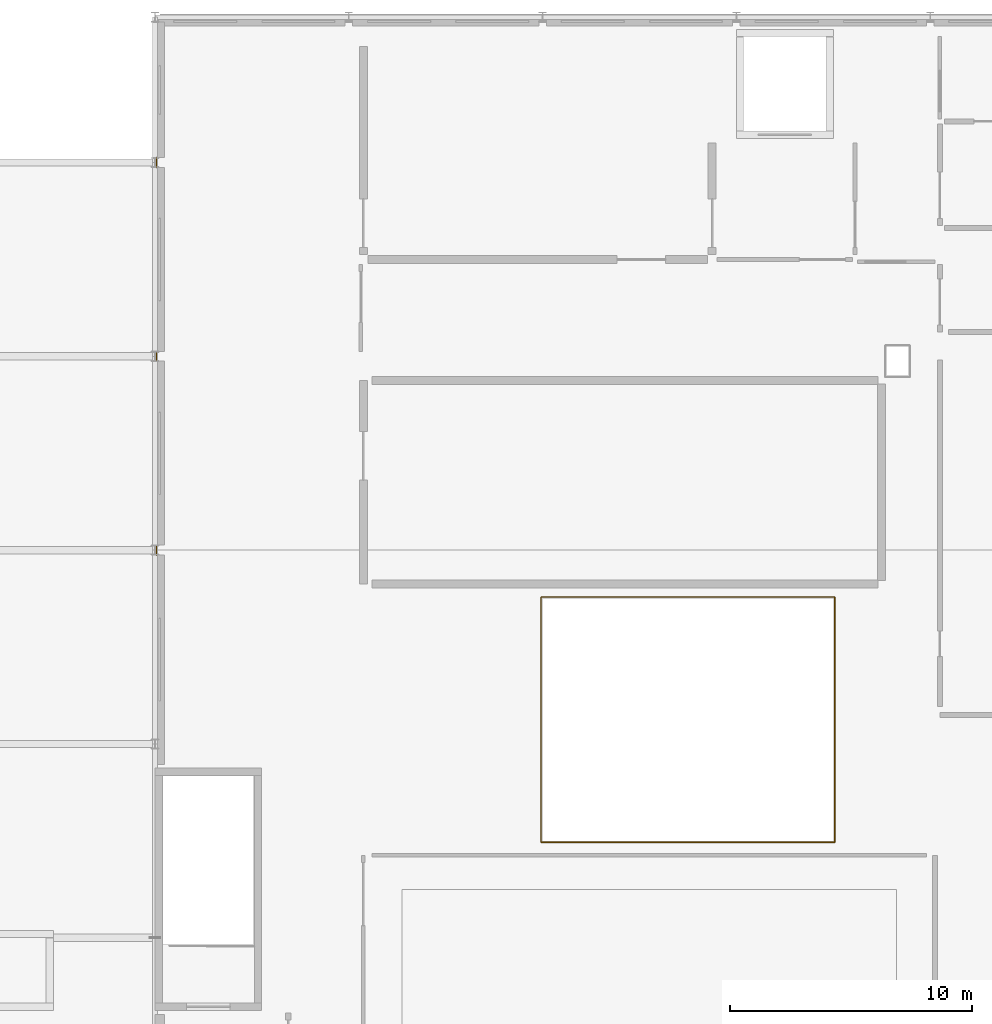
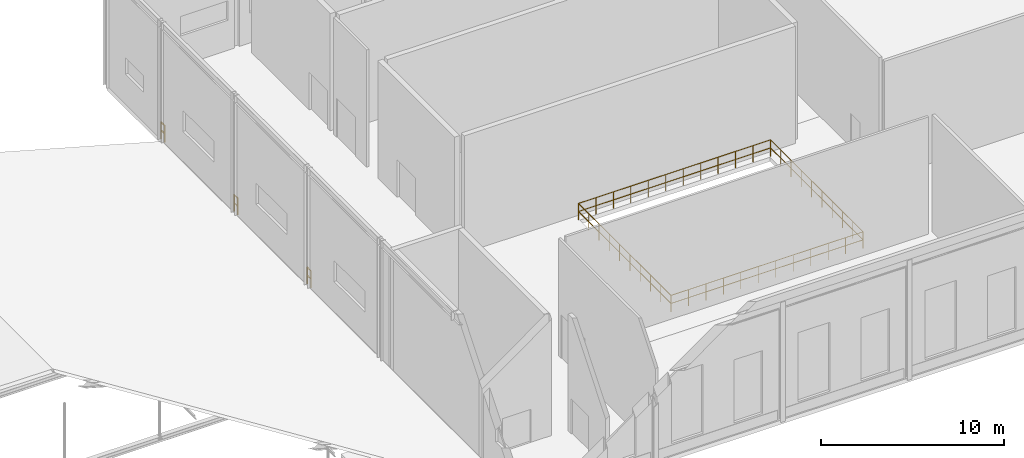
# One storey, part 47 of 49: 4 railings.
"""IFC4 building model written with IfcOpenShell, lengths in metres."""

from ifc_helpers import new_model, si_unit, direction, frame, origin, origin_2d, place, context, subcontext, project, spatial, circle, extrude, material, type_object, element, save


model = new_model("IFC4")

# Units and contexts
model_context = context("Model", 3, precision=1e-05, world=origin(), true_north=direction((0.0, 1.0)))
body_context = subcontext(model_context, "Body", "Model", "MODEL_VIEW")
ifc_project = project(units=[si_unit("LENGTHUNIT", "METRE"), si_unit("AREAUNIT", "SQUARE_METRE"), si_unit("VOLUMEUNIT", "CUBIC_METRE"), si_unit("PLANEANGLEUNIT", "RADIAN"), si_unit("MASSUNIT", "GRAM", prefix="KILO")], contexts=[model_context])

# Site, building, storey
site_placement = place(None, origin())
site = spatial("IfcSite", under=ifc_project, at=site_placement, CompositionType="ELEMENT")
building_placement = place(site_placement, origin())
building = spatial("IfcBuilding", under=site, at=building_placement, Name="Sundkrona Museum", CompositionType="ELEMENT")
storey_placement = place(building_placement, frame((0.0, 0.0, 26.0)))
storey = spatial("IfcBuildingStorey", under=building, at=storey_placement, Name="L05", CompositionType="ELEMENT", Elevation=26.0)

# Railings
ifc_material = material(Name="Painted Steel S355J2 and Laminated Glass Balustrade", Category="steel")
railing_type = type_object("IfcRailingType", Name="RL-GUARD-1100", PredefinedType="BALUSTRADE", material=ifc_material)
for number, where, name in (
    (1, (120.06005859375, 23.798095703125, 0.0), "L05 Edge Protection Balustrade 001"),
    (2, (120.06005859375, 31.798095703125, 0.0), "L05 Edge Protection Balustrade 002"),
    (3, (120.06005859375, 39.798095703125, 0.0), "L05 Edge Protection Balustrade 003"),
):
    element("IfcRailing", number, at=place(storey_placement, frame(where)), inside=storey, type_object=railing_type, Name=name, PredefinedType="BALUSTRADE", context=body_context, shape_type="SweptSolid", body=[
        extrude(circle(Radius=0.02392578125, at=origin_2d()), frame((0.0, 0.0, 1.09619140625), z_axis=(0.0, 1.0, 0.0), x_axis=(-1.0, 0.0, 0.0)), (0.0, 0.0, 1.0), 0.40380859375),
        extrude(circle(Radius=0.02392578125, at=origin_2d()), frame((0.0, 0.0, 0.56005859375), z_axis=(0.0, 1.0, 0.0), x_axis=(-1.0, 0.0, 0.0)), (0.0, 0.0, 1.0), 0.40380859375),
        extrude(circle(Radius=0.02099609375, at=origin_2d()), origin(), (0.0, 0.0, 1.0), 1.072021484375),
        extrude(circle(Radius=0.02099609375, at=origin_2d()), frame((0.0, 0.40380859375, 0.0)), (0.0, 0.0, 1.0), 1.072021484375),
    ])
railing_placement = place(storey_placement, frame((148.06005859375, 22.06005859375, 0.0)))
element("IfcRailing", 4, at=railing_placement, inside=storey, type_object=railing_type, Name="L05 Edge Protection Balustrade 005", PredefinedType="BALUSTRADE", context=body_context, shape_type="SweptSolid", body=[
    extrude(circle(Radius=0.02392578125, at=origin_2d()), frame((0.0, 0.0, 1.09619140625), z_axis=(-1.0, 0.0, 0.0), x_axis=(0.0, -1.0, 0.0)), (0.0, 0.0, 1.0), 12.1201171875),
    extrude(circle(Radius=0.02392578125, at=origin_2d()), frame((0.0, 0.0, 0.56005859375), z_axis=(-1.0, 0.0, 0.0), x_axis=(0.0, -1.0, 0.0)), (0.0, 0.0, 1.0), 12.1201171875),
    extrude(circle(Radius=0.02392578125, at=origin_2d()), frame((-12.1201171875, 0.0, 1.09619140625), z_axis=(0.0, -1.0, 0.0), x_axis=(1.0, 0.0, 0.0)), (0.0, 0.0, 1.0), 10.1201171875),
    extrude(circle(Radius=0.02392578125, at=origin_2d()), frame((-12.1201171875, 0.0, 0.56005859375), z_axis=(0.0, -1.0, 0.0), x_axis=(1.0, 0.0, 0.0)), (0.0, 0.0, 1.0), 10.1201171875),
    extrude(circle(Radius=0.02392578125, at=origin_2d()), frame((-12.1201171875, -10.1201171875, 1.09619140625), z_axis=(1.0, 0.0, 0.0), x_axis=(0.0, 1.0, 0.0)), (0.0, 0.0, 1.0), 12.1201171875),
    extrude(circle(Radius=0.02392578125, at=origin_2d()), frame((-12.1201171875, -10.1201171875, 0.56005859375), z_axis=(1.0, 0.0, 0.0), x_axis=(0.0, 1.0, 0.0)), (0.0, 0.0, 1.0), 12.1201171875),
    extrude(circle(Radius=0.02392578125, at=origin_2d()), frame((0.0, -10.1201171875, 1.09619140625), z_axis=(0.0, 1.0, 0.0), x_axis=(-1.0, 0.0, 0.0)), (0.0, 0.0, 1.0), 10.1201171875),
    extrude(circle(Radius=0.02392578125, at=origin_2d()), frame((0.0, -10.1201171875, 0.56005859375), z_axis=(0.0, 1.0, 0.0), x_axis=(-1.0, 0.0, 0.0)), (0.0, 0.0, 1.0), 10.1201171875),
    extrude(circle(Radius=0.02099609375, at=origin_2d()), origin(), (0.0, 0.0, 1.0), 1.072021484375),
    extrude(circle(Radius=0.02099609375, at=origin_2d()), frame((-1.101806640625, 0.0, 0.0)), (0.0, 0.0, 1.0), 1.072021484375),
    extrude(circle(Radius=0.02099609375, at=origin_2d()), frame((-2.20361328125, 0.0, 0.0)), (0.0, 0.0, 1.0), 1.072021484375),
    extrude(circle(Radius=0.02099609375, at=origin_2d()), frame((-3.305419921875, 0.0, 0.0)), (0.0, 0.0, 1.0), 1.072021484375),
    extrude(circle(Radius=0.02099609375, at=origin_2d()), frame((-4.4072265625, 0.0, 0.0)), (0.0, 0.0, 1.0), 1.072021484375),
    extrude(circle(Radius=0.02099609375, at=origin_2d()), frame((-5.509033203125, 0.0, 0.0)), (0.0, 0.0, 1.0), 1.072021484375),
    extrude(circle(Radius=0.02099609375, at=origin_2d()), frame((-6.611083984375, 0.0, 0.0)), (0.0, 0.0, 1.0), 1.072021484375),
    extrude(circle(Radius=0.02099609375, at=origin_2d()), frame((-7.712890625, 0.0, 0.0)), (0.0, 0.0, 1.0), 1.072021484375),
    extrude(circle(Radius=0.02099609375, at=origin_2d()), frame((-8.814697265625, 0.0, 0.0)), (0.0, 0.0, 1.0), 1.072021484375),
    extrude(circle(Radius=0.02099609375, at=origin_2d()), frame((-9.91650390625, 0.0, 0.0)), (0.0, 0.0, 1.0), 1.072021484375),
    extrude(circle(Radius=0.02099609375, at=origin_2d()), frame((-11.018310546875, 0.0, 0.0)), (0.0, 0.0, 1.0), 1.072021484375),
    extrude(circle(Radius=0.02099609375, at=origin_2d()), frame((-12.1201171875, 0.0, 0.0)), (0.0, 0.0, 1.0), 1.072021484375),
    extrude(circle(Radius=0.02099609375, at=origin_2d()), frame((-12.1201171875, -1.12451171875, 0.0)), (0.0, 0.0, 1.0), 1.072021484375),
    extrude(circle(Radius=0.02099609375, at=origin_2d()), frame((-12.1201171875, -2.2490234375, 0.0)), (0.0, 0.0, 1.0), 1.072021484375),
    extrude(circle(Radius=0.02099609375, at=origin_2d()), frame((-12.1201171875, -3.373291015625, 0.0)), (0.0, 0.0, 1.0), 1.072021484375),
    extrude(circle(Radius=0.02099609375, at=origin_2d()), frame((-12.1201171875, -4.497802734375, 0.0)), (0.0, 0.0, 1.0), 1.072021484375),
    extrude(circle(Radius=0.02099609375, at=origin_2d()), frame((-12.1201171875, -5.622314453125, 0.0)), (0.0, 0.0, 1.0), 1.072021484375),
    extrude(circle(Radius=0.02099609375, at=origin_2d()), frame((-12.1201171875, -6.746826171875, 0.0)), (0.0, 0.0, 1.0), 1.072021484375),
    extrude(circle(Radius=0.02099609375, at=origin_2d()), frame((-12.1201171875, -7.87109375, 0.0)), (0.0, 0.0, 1.0), 1.072021484375),
    extrude(circle(Radius=0.02099609375, at=origin_2d()), frame((-12.1201171875, -8.99560546875, 0.0)), (0.0, 0.0, 1.0), 1.072021484375),
    extrude(circle(Radius=0.02099609375, at=origin_2d()), frame((-12.1201171875, -10.1201171875, 0.0)), (0.0, 0.0, 1.0), 1.072021484375),
    extrude(circle(Radius=0.02099609375, at=origin_2d()), frame((-11.018310546875, -10.1201171875, 0.0)), (0.0, 0.0, 1.0), 1.072021484375),
    extrude(circle(Radius=0.02099609375, at=origin_2d()), frame((-9.91650390625, -10.1201171875, 0.0)), (0.0, 0.0, 1.0), 1.072021484375),
    extrude(circle(Radius=0.02099609375, at=origin_2d()), frame((-8.814697265625, -10.1201171875, 0.0)), (0.0, 0.0, 1.0), 1.072021484375),
    extrude(circle(Radius=0.02099609375, at=origin_2d()), frame((-7.712890625, -10.1201171875, 0.0)), (0.0, 0.0, 1.0), 1.072021484375),
    extrude(circle(Radius=0.02099609375, at=origin_2d()), frame((-6.611083984375, -10.1201171875, 0.0)), (0.0, 0.0, 1.0), 1.072021484375),
    extrude(circle(Radius=0.02099609375, at=origin_2d()), frame((-5.509033203125, -10.1201171875, 0.0)), (0.0, 0.0, 1.0), 1.072021484375),
    extrude(circle(Radius=0.02099609375, at=origin_2d()), frame((-4.4072265625, -10.1201171875, 0.0)), (0.0, 0.0, 1.0), 1.072021484375),
    extrude(circle(Radius=0.02099609375, at=origin_2d()), frame((-3.305419921875, -10.1201171875, 0.0)), (0.0, 0.0, 1.0), 1.072021484375),
    extrude(circle(Radius=0.02099609375, at=origin_2d()), frame((-2.20361328125, -10.1201171875, 0.0)), (0.0, 0.0, 1.0), 1.072021484375),
    extrude(circle(Radius=0.02099609375, at=origin_2d()), frame((-1.101806640625, -10.1201171875, 0.0)), (0.0, 0.0, 1.0), 1.072021484375),
    extrude(circle(Radius=0.02099609375, at=origin_2d()), frame((0.0, -10.1201171875, 0.0)), (0.0, 0.0, 1.0), 1.072021484375),
    extrude(circle(Radius=0.02099609375, at=origin_2d()), frame((0.0, -8.99560546875, 0.0)), (0.0, 0.0, 1.0), 1.072021484375),
    extrude(circle(Radius=0.02099609375, at=origin_2d()), frame((0.0, -7.87109375, 0.0)), (0.0, 0.0, 1.0), 1.072021484375),
    extrude(circle(Radius=0.02099609375, at=origin_2d()), frame((0.0, -6.746826171875, 0.0)), (0.0, 0.0, 1.0), 1.072021484375),
    extrude(circle(Radius=0.02099609375, at=origin_2d()), frame((0.0, -5.622314453125, 0.0)), (0.0, 0.0, 1.0), 1.072021484375),
    extrude(circle(Radius=0.02099609375, at=origin_2d()), frame((0.0, -4.497802734375, 0.0)), (0.0, 0.0, 1.0), 1.072021484375),
    extrude(circle(Radius=0.02099609375, at=origin_2d()), frame((0.0, -3.373291015625, 0.0)), (0.0, 0.0, 1.0), 1.072021484375),
    extrude(circle(Radius=0.02099609375, at=origin_2d()), frame((0.0, -2.2490234375, 0.0)), (0.0, 0.0, 1.0), 1.072021484375),
    extrude(circle(Radius=0.02099609375, at=origin_2d()), frame((0.0, -1.12451171875, 0.0)), (0.0, 0.0, 1.0), 1.072021484375),
])

save(model, "model.ifc")
